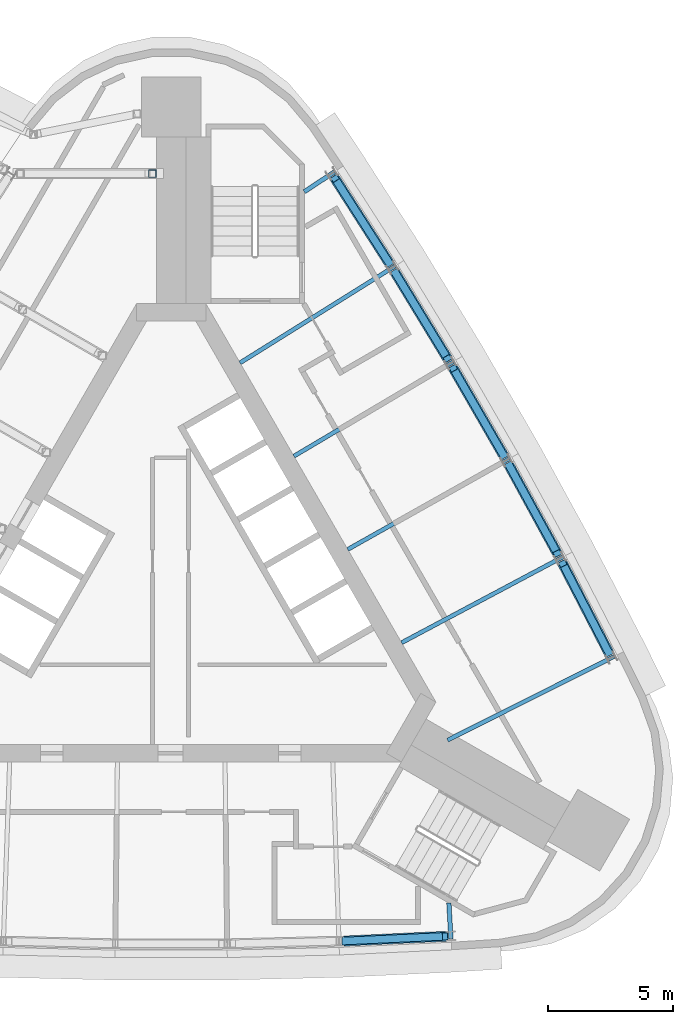
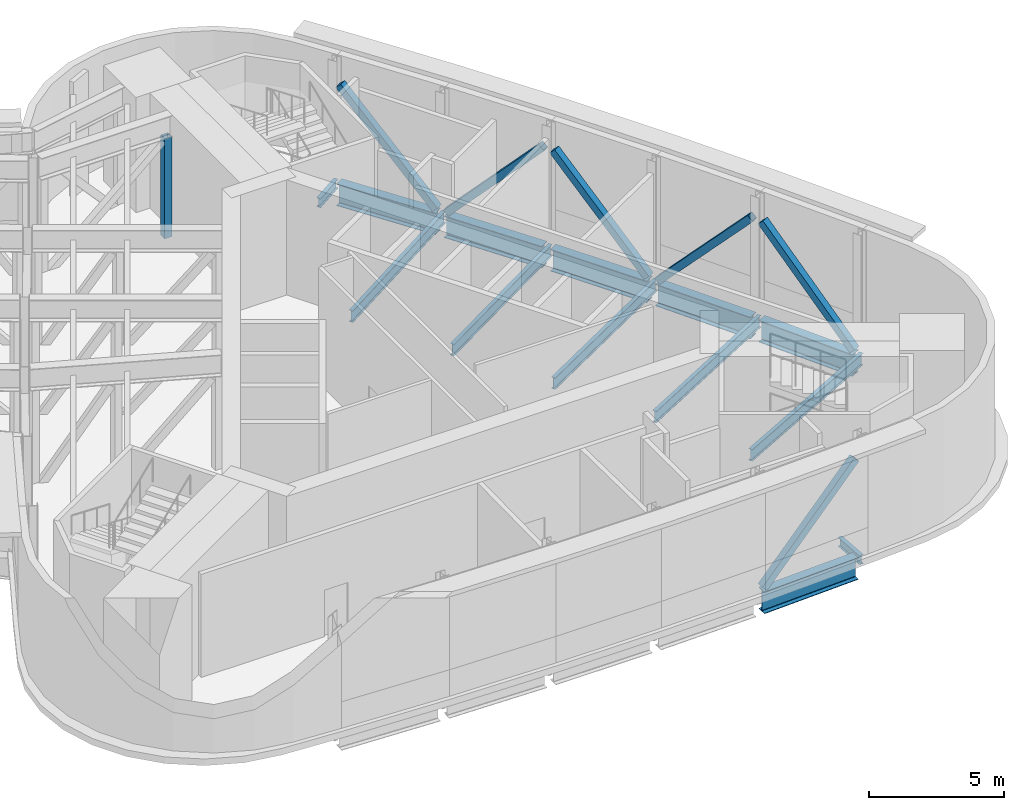
# One storey, part 4 of 11: 13 beams, 7 members.
"""IFC4 building model written with IfcOpenShell, lengths in metres."""

import ifcopenshell
import ifcopenshell.guid

model = None  # the IFC model being written
_history = None  # IfcOwnerHistory: only IFC2X3 demands one
_inside = {}  # id of a spatial element -> (the spatial element, [elements in it])
_under = {}  # id of a project, library or spatial element -> (it, [spatial elements below it])
_declared = {}  # id of a project -> (the project, [libraries it declares])
_typed = {}  # id of a type object -> (the type object, [elements of that type])
_made_of = {}  # id of a material, layer set ... -> (it, [elements and type objects made of it])


def new_model(schema):
    """Start an empty IFC model of exactly this schema.

    Asked for "IFC4X3", IfcOpenShell would pick the latest addendum, in which some entities
    have other attributes; the version numbers below select the first issue.
    IFC2X3 requires an IfcOwnerHistory on every rooted entity: one is made here for all.
    """
    global model, _history
    if schema == "IFC4X3":
        model = ifcopenshell.file(schema_version=(4, 3, 0, 0))
    else:
        model = ifcopenshell.file(schema=schema)
    _inside.clear()
    _under.clear()
    _declared.clear()
    _typed.clear()
    _made_of.clear()
    _history = None
    if model.schema == "IFC2X3":
        org = make("IfcOrganization", Name="unknown")
        user = make(
            "IfcPersonAndOrganization",
            ThePerson=make("IfcPerson", FamilyName="unknown"),
            TheOrganization=org,
        )
        app = make(
            "IfcApplication",
            ApplicationDeveloper=org,
            Version="unknown",
            ApplicationFullName="unknown",
            ApplicationIdentifier="unknown",
        )
        _history = make(
            "IfcOwnerHistory",
            OwningUser=user,
            OwningApplication=app,
            ChangeAction="ADDED",
            CreationDate=0,
        )
    return model


def make(cls, **values):
    """One entity of the class cls with the attributes given. An attribute that is None is left unset."""
    return model.create_entity(
        cls, **{name: value for name, value in values.items() if value is not None}
    )


def rooted(cls, **values):
    """An entity with a GlobalId (a new one), such as an element, a storey or a relation."""
    return make(cls, GlobalId=ifcopenshell.guid.new(), OwnerHistory=_history, **values)


def si_unit(unit_type, name, prefix=None):
    """IfcSIUnit, for example si_unit("LENGTHUNIT", "METRE", prefix="MILLI")."""
    return make("IfcSIUnit", UnitType=unit_type, Prefix=prefix, Name=name)


def assignment(units):
    """IfcUnitAssignment: the units of a project."""
    return None if units is None else make("IfcUnitAssignment", Units=units)


def point(xyz):
    """IfcCartesianPoint."""
    return None if xyz is None else make("IfcCartesianPoint", Coordinates=xyz)


def direction(xyz):
    """IfcDirection."""
    return None if xyz is None else make("IfcDirection", DirectionRatios=xyz)


def frame(location, z_axis=None, x_axis=None):
    """IfcAxis2Placement3D, a coordinate frame: its origin and axes. An axis left out is left unset."""
    return make(
        "IfcAxis2Placement3D",
        Location=point(location),
        Axis=direction(z_axis),
        RefDirection=direction(x_axis),
    )


def frame_2d(location, x_axis=None):
    """IfcAxis2Placement2D, a coordinate frame in the plane: its origin and x axis."""
    return make(
        "IfcAxis2Placement2D", Location=point(location), RefDirection=direction(x_axis)
    )


def origin():
    """The frame at (0, 0, 0) with its axes left unset."""
    return frame((0.0, 0.0, 0.0))


def origin_2d():
    """The frame at (0, 0) in the plane with its x axis left unset."""
    return frame_2d((0.0, 0.0))


def place(relative_to, where):
    """IfcLocalPlacement: puts the frame where relative to a parent placement (None: the world)."""
    return make(
        "IfcLocalPlacement", PlacementRelTo=relative_to, RelativePlacement=where
    )


def context(
    kind, dimensions, precision=None, world=None, true_north=None, identifier=None
):
    """IfcGeometricRepresentationContext, for example the 3D "Model" context."""
    return make(
        "IfcGeometricRepresentationContext",
        ContextIdentifier=identifier,
        ContextType=kind,
        CoordinateSpaceDimension=dimensions,
        Precision=precision,
        WorldCoordinateSystem=world,
        TrueNorth=true_north,
    )


def subcontext(parent, identifier, kind, view, scale=None):
    """IfcGeometricRepresentationSubContext, for example "Body" below "Model"."""
    return make(
        "IfcGeometricRepresentationSubContext",
        ContextIdentifier=identifier,
        ContextType=kind,
        ParentContext=parent,
        TargetScale=scale,
        TargetView=view,
    )


def project(units=None, contexts=None):
    """IfcProject with its units and contexts."""
    return rooted(
        "IfcProject",
        Name="project",
        RepresentationContexts=contexts,
        UnitsInContext=assignment(units),
    )


def spatial(cls, under=None, at=None, **own):
    """A site, building, storey or space (cls), placed at a placement, below another one or the project."""
    s = rooted(cls, ObjectPlacement=at, **own)
    if under is not None:
        _under.setdefault(under.id(), (under, []))[1].append(s)
    return s


def profile(cls, at=None, kind="AREA", **sizes):
    """A parametric profile (cls). Its sizes go by their IFC names, for example OverallWidth=200.0."""
    return make(cls, ProfileType=kind, Position=at, **sizes)


def hollow_rectangle(**sizes):
    """IfcRectangleHollowProfileDef."""
    return profile("IfcRectangleHollowProfileDef", **sizes)


def i_section(**sizes):
    """IfcIShapeProfileDef."""
    return profile("IfcIShapeProfileDef", **sizes)


def extrude(swept, where, along, depth):
    """IfcExtrudedAreaSolid: the profile swept, set in the frame where, extruded along a direction by depth."""
    return make(
        "IfcExtrudedAreaSolid",
        SweptArea=swept,
        Position=where,
        ExtrudedDirection=direction(along),
        Depth=depth,
    )


def shape(context_of_items, identifier, shape_type, items):
    """IfcShapeRepresentation: the items that make up one representation, for example the "Body"."""
    return make(
        "IfcShapeRepresentation",
        ContextOfItems=context_of_items,
        RepresentationIdentifier=identifier,
        RepresentationType=shape_type,
        Items=items,
    )


def material(Name=None, Category=None):
    """IfcMaterial."""
    return make("IfcMaterial", Name=Name, Category=Category)


def material_profile(
    of_material, cross_section, Name=None, Category=None, Priority=None
):
    """IfcMaterialProfile: a cross section and its material."""
    return make(
        "IfcMaterialProfile",
        Name=Name,
        Material=of_material,
        Profile=cross_section,
        Priority=Priority,
        Category=Category,
    )


def profile_set(profiles, Name=None, composite=None):
    """IfcMaterialProfileSet."""
    return make(
        "IfcMaterialProfileSet",
        Name=Name,
        MaterialProfiles=profiles,
        CompositeProfile=composite,
    )


def made_of(thing, what):
    """Note that an element or type object is made of a material, layer set ...; save() writes the relation."""
    if what is not None:
        _made_of.setdefault(what.id(), (what, []))[1].append(thing)
    return thing


def type_object(cls, material=None, **own):
    """A type object (cls), such as IfcWallType, which elements share."""
    return made_of(rooted(cls, **own), material)


def element(
    cls,
    number,
    at=None,
    inside=None,
    cuts=None,
    type_object=None,
    material=None,
    context=None,
    identifier="Body",
    shape_type=None,
    held_by="IfcProductDefinitionShape",
    body=None,
    shapes=None,
    **own,
):
    """One element of the class cls, such as IfcWall. Its Tag is "e" and its number.

    at: its placement. inside: the storey or other place that contains it. cuts: it is an
    opening in that element (IfcRelVoidsElement). A single representation is given by context,
    identifier, shape_type and body (its items); several are given by shapes. held_by: the class
    of the entity that holds the representations. save() writes the other relations.
    """
    e = rooted(cls, Tag="e%d" % number, ObjectPlacement=at, **own)
    if body is not None:
        shapes = [shape(context, identifier, shape_type, body)]
    if shapes is not None:
        e.Representation = make(held_by, Representations=shapes)
    if inside is not None:
        _inside.setdefault(inside.id(), (inside, []))[1].append(e)
    if cuts is not None:
        rooted(
            "IfcRelVoidsElement", RelatingBuildingElement=cuts, RelatedOpeningElement=e
        )
    if type_object is not None:
        _typed.setdefault(type_object.id(), (type_object, []))[1].append(e)
    return made_of(e, material)


def aggregate(whole, parts):
    """IfcRelAggregates: a whole, such as a stair, and the parts it consists of."""
    return rooted("IfcRelAggregates", RelatingObject=whole, RelatedObjects=parts)


def save(model, path):
    """Write the relations noted so far, then the file.

    IfcRelAggregates (storeys below a building ...), IfcRelContainedInSpatialStructure (elements
    in a storey), IfcRelDefinesByType, IfcRelAssociatesMaterial and IfcRelDeclares: one each for
    every whole, place, type object, material and project.
    """
    for whole, parts in _under.values():
        aggregate(whole, parts)
    for where, things in _inside.values():
        rooted(
            "IfcRelContainedInSpatialStructure",
            RelatedElements=things,
            RelatingStructure=where,
        )
    for kind, things in _typed.values():
        rooted("IfcRelDefinesByType", RelatedObjects=things, RelatingType=kind)
    for what, things in _made_of.values():
        rooted("IfcRelAssociatesMaterial", RelatedObjects=things, RelatingMaterial=what)
    for by, libraries in _declared.values():
        rooted("IfcRelDeclares", RelatingContext=by, RelatedDefinitions=libraries)
    model.write(path)


model = new_model("IFC4")

# Units and contexts
model_context = context("Model", 3, precision=1e-05, world=origin(), true_north=direction((0.0, 1.0)))
body_context = subcontext(model_context, "Body", "Model", "MODEL_VIEW")
ifc_project = project(units=[si_unit("LENGTHUNIT", "METRE"), si_unit("AREAUNIT", "SQUARE_METRE"), si_unit("VOLUMEUNIT", "CUBIC_METRE"), si_unit("PLANEANGLEUNIT", "RADIAN"), si_unit("MASSUNIT", "GRAM", prefix="KILO")], contexts=[model_context])

# Site, building, storey
site_placement = place(None, origin())
site = spatial("IfcSite", under=ifc_project, at=site_placement, CompositionType="ELEMENT")
building_placement = place(site_placement, origin())
building = spatial("IfcBuilding", under=site, at=building_placement, Name="Noor Cloister Tower", CompositionType="ELEMENT")
storey_placement = place(building_placement, frame((0.0, 0.0, 258.0)))
storey = spatial("IfcBuildingStorey", under=building, at=storey_placement, Name="L66", CompositionType="ELEMENT", Elevation=258.0)

# Beams
ifc_material_1 = material(Name="Steel ASTM A992 Gr 50", Category="steel")
ifc_material_profile_1 = material_profile(ifc_material_1, i_section(OverallWidth=0.40087890625, OverallDepth=0.98291015625, WebThickness=0.0166015625, FlangeThickness=0.027099609375, FilletRadius=0.030029296875, at=origin_2d()), Name="W1000x296")
ifc_profile_set_1 = profile_set([ifc_material_profile_1], Name="Steel ASTM A992 Gr 50")
beam_type_1 = type_object("IfcBeamType", Name="Belt chord girder W1000x296", PredefinedType="BEAM", material=ifc_profile_set_1)
beam_1_placement = place(storey_placement, frame((6.914794921875, -14.11083984375, -0.79150390625), z_axis=(0.998923795857, 0.046381570381, 0.0), x_axis=(-0.046381570381, 0.998923795857, 0.0)))
element("IfcBeam", 1, at=beam_1_placement, inside=storey, type_object=beam_type_1, Name="Spandrel beam S 05 L66", PredefinedType="BEAM", context=body_context, shape_type="SweptSolid", body=[
    extrude(i_section(OverallWidth=0.40087890625, OverallDepth=0.98291015625, WebThickness=0.0166015625, FlangeThickness=0.027099609375, FilletRadius=0.030029296875, at=origin_2d()), origin(), (0.0, 0.0, 1.0), 4.1162109375),
])
beam_2_placement = place(storey_placement, frame((17.568359375, -2.58935546875, -0.79150390625), z_axis=(-0.459295448048, 0.888283564749, 0.0), x_axis=(-0.888283564749, -0.459295448048, 0.0)))
element("IfcBeam", 2, at=beam_2_placement, inside=storey, type_object=beam_type_1, Name="Spandrel beam NE 01 L66", PredefinedType="BEAM", context=body_context, shape_type="SweptSolid", body=[
    extrude(i_section(OverallWidth=0.40087890625, OverallDepth=0.98291015625, WebThickness=0.0166015625, FlangeThickness=0.027099609375, FilletRadius=0.030029296875, at=origin_2d()), origin(), (0.0, 0.0, 1.0), 4.116455078125),
])
for number, where, z_axis, x_axis, name in (
    (3, (15.503662109375, 1.39453125, -0.79150390625), (-0.479770251557, 0.87739415642, 0.0), (-0.87739415642, -0.479770251557, 0.0), "Spandrel beam NE 02 L66"),
    (4, (13.346923828125, 5.329345703125, -0.79150390625), (-0.500004836318, 0.866022611517, 0.0), (-0.866022611517, -0.500004836318, 0.0), "Spandrel beam NE 03 L66"),
    (5, (11.099609375, 9.213134765625, -0.79150390625), (-0.51992813058, 0.85421000874, 0.0), (-0.85421000874, -0.51992813058, 0.0), "Spandrel beam NE 04 L66"),
    (6, (8.762939453125, 13.0439453125, -0.79150390625), (-0.539635932385, 0.841898485851, 0.0), (-0.841898485851, -0.539635932385, 0.0), "Spandrel beam NE 05 L66"),
):
    element("IfcBeam", number, at=place(storey_placement, frame(where, z_axis=z_axis, x_axis=x_axis)), inside=storey, type_object=beam_type_1, Name=name, PredefinedType="BEAM", context=body_context, shape_type="SweptSolid", body=[
        extrude(i_section(OverallWidth=0.40087890625, OverallDepth=0.98291015625, WebThickness=0.0166015625, FlangeThickness=0.027099609375, FilletRadius=0.030029296875, at=origin_2d()), origin(), (0.0, 0.0, 1.0), 4.1162109375),
    ])

# Members
ifc_material_2 = material(Name="Steel ASTM A500 Gr C", Category="steel")
ifc_material_profile_2 = material_profile(ifc_material_2, hollow_rectangle(XDim=0.304931640625, YDim=0.304931640625, WallThickness=0.0126953125, at=origin_2d()), Name="HSS304.8x304.8x12.7")
ifc_profile_set_2 = profile_set([ifc_material_profile_2], Name="Steel ASTM A500 Gr C")
member_type_1 = type_object("IfcMemberType", Name="Belt truss diagonal HSS304.8x304.8x12.7", PredefinedType="BRACE", material=ifc_profile_set_2)
for number, where, z_axis, x_axis, name in (
    (7, (6.957275390625, -14.10888671875, -0.19580078125), (0.682473583847, 0.031694844503, 0.730222736008), (-0.046391129357, 0.998923351973, 0.0), "Belt truss diagonal S 05 L66"),
    (8, (17.548828125, -2.551513671875, -0.19580078125), (-0.313804014351, 0.606878095793, 0.730223265463), (-0.888276437596, -0.459309231794, 0.0), "Belt truss diagonal NE 01 L66"),
    (9, (13.549072265625, 4.96875, -0.19580078125), (0.327791355853, -0.599433649613, 0.730227448635), (0.87738587884, 0.479785389119, 0.0), "Belt truss diagonal NE 02 L66"),
    (10, (13.32568359375, 5.3662109375, -0.19580078125), (-0.341613822201, 0.591658920016, 0.73023264707), (-0.866013116976, -0.500021280772, 0.0), "Belt truss diagonal NE 03 L66"),
    (11, (8.981689453125, 12.69287109375, -0.19580078125), (0.355226427, -0.583589228469, 0.730231331823), (0.854199725131, 0.519945025542, 0.0), "Belt truss diagonal NE 04 L66"),
    (12, (8.739990234375, 13.07958984375, -0.19580078125), (-0.368673865397, 0.575189158573, 0.730230794224), (-0.841903832272, -0.53962759122, 0.0), "Belt truss diagonal NE 05 L66"),
):
    element("IfcMember", number, at=place(storey_placement, frame(where, z_axis=z_axis, x_axis=x_axis)), inside=storey, type_object=member_type_1, Name=name, PredefinedType="BRACE", context=body_context, shape_type="SweptSolid", body=[
        extrude(hollow_rectangle(XDim=0.304931640625, YDim=0.304931640625, WallThickness=0.0126953125, at=origin_2d()), origin(), (0.0, 0.0, 1.0), 5.900390625),
    ])
ifc_material_3 = material(Name="Steel ASTM A500 Gr C", Category="steel")
ifc_material_profile_3 = material_profile(ifc_material_3, hollow_rectangle(XDim=0.304931640625, YDim=0.304931640625, WallThickness=0.0126953125, at=origin_2d()), Name="HSS304.8x304.8x12.7")
ifc_profile_set_3 = profile_set([ifc_material_profile_3], Name="Steel ASTM A500 Gr C")
member_type_2 = type_object("IfcMemberType", Name="Pod truss post HSS304.8x304.8x12.7", PredefinedType="POST", material=ifc_profile_set_3)
member_placement = place(storey_placement, frame((-0.75244140625, 16.66552734375, -0.300048828125), z_axis=(0.0, 0.0, 1.0), x_axis=(1.0, 0.0, 0.0)))
element("IfcMember", 13, at=member_placement, inside=storey, type_object=member_type_2, Name="Pod truss 5 post line 1 back span 2", PredefinedType="POST", context=body_context, shape_type="SweptSolid", body=[
    extrude(hollow_rectangle(XDim=0.304931640625, YDim=0.304931640625, WallThickness=0.0126953125, at=origin_2d()), origin(), (0.0, 0.0, 1.0), 4.51708984375),
])

# Beams
ifc_material_4 = material(Name="Steel ASTM A992 Gr 50", Category="steel")
ifc_material_profile_4 = material_profile(ifc_material_4, i_section(OverallWidth=0.177978515625, OverallDepth=0.406005859375, WebThickness=0.0078125, FlangeThickness=0.0126953125, FilletRadius=0.01025390625, at=origin_2d()), Name="W410x60")
ifc_profile_set_4 = profile_set([ifc_material_profile_4], Name="Steel ASTM A992 Gr 50")
beam_type_2 = type_object("IfcBeamType", Name="Radial beam W410x60", PredefinedType="BEAM", material=ifc_profile_set_4)
beam_3_placement = place(storey_placement, frame((11.21875, -14.03076171875, -0.5029296875), z_axis=(-0.058017998858, 0.998315537197, 0.0), x_axis=(-0.998315537197, -0.058017998858, 0.0)))
element("IfcBeam", 14, at=beam_3_placement, inside=storey, type_object=beam_type_2, Name="Radial beam S 06 L66", PredefinedType="BEAM", context=body_context, shape_type="SweptSolid", body=[
    extrude(i_section(OverallWidth=0.177978515625, OverallDepth=0.406005859375, WebThickness=0.0078125, FlangeThickness=0.0126953125, FilletRadius=0.01025390625, at=origin_2d()), origin(), (0.0, 0.0, 1.0), 1.443359375),
])
beam_4_placement = place(storey_placement, frame((6.54150390625, 16.73095703125, -0.5029296875), z_axis=(-0.835598976558, -0.54933992243, 0.0), x_axis=(0.54933992243, -0.835598976558, 0.0)))
element("IfcBeam", 15, at=beam_4_placement, inside=storey, type_object=beam_type_2, Name="Radial beam NE 06 L66", PredefinedType="BEAM", context=body_context, shape_type="SweptSolid", body=[
    extrude(i_section(OverallWidth=0.177978515625, OverallDepth=0.406005859375, WebThickness=0.0078125, FlangeThickness=0.0126953125, FilletRadius=0.01025390625, at=origin_2d()), origin(), (0.0, 0.0, 1.0), 1.443115234375),
])
ifc_material_5 = material(Name="Steel ASTM A992 Gr 50", Category="steel")
ifc_material_profile_5 = material_profile(ifc_material_5, i_section(OverallWidth=0.166015625, OverallDepth=0.528076171875, WebThickness=0.009765625, FlangeThickness=0.013671875, FilletRadius=0.0126953125, at=origin_2d()), Name="W530x74")
ifc_profile_set_5 = profile_set([ifc_material_profile_5], Name="Steel ASTM A992 Gr 50")
beam_type_3 = type_object("IfcBeamType", Name="Radial beam W530x74", PredefinedType="BEAM", material=ifc_profile_set_5)
beam_5_placement = place(storey_placement, frame((17.76025390625, -2.700439453125, -0.56396484375), z_axis=(-0.893549510388, -0.448964667302, 0.0), x_axis=(0.448964667302, -0.893549510388, 0.0)))
element("IfcBeam", 16, at=beam_5_placement, inside=storey, type_object=beam_type_3, Name="Radial beam NE 01 L66", PredefinedType="BEAM", context=body_context, shape_type="SweptSolid", body=[
    extrude(i_section(OverallWidth=0.166015625, OverallDepth=0.528076171875, WebThickness=0.009765625, FlangeThickness=0.013671875, FilletRadius=0.0126953125, at=origin_2d()), origin(), (0.0, 0.0, 1.0), 7.469482421875),
])
beam_6_placement = place(storey_placement, frame((15.697998046875, 1.287841796875, -0.56396484375), z_axis=(-0.882903889785, -0.469553747085, 0.0), x_axis=(0.469553747085, -0.882903889785, 0.0)))
element("IfcBeam", 17, at=beam_6_placement, inside=storey, type_object=beam_type_3, Name="Radial beam NE 02 L66", PredefinedType="BEAM", context=body_context, shape_type="SweptSolid", body=[
    extrude(i_section(OverallWidth=0.166015625, OverallDepth=0.528076171875, WebThickness=0.009765625, FlangeThickness=0.013671875, FilletRadius=0.0126953125, at=origin_2d()), origin(), (0.0, 0.0, 1.0), 7.31494140625),
])
for number, where, z_axis, x_axis, name in (
    (18, (13.5439453125, 5.227294921875, -0.56396484375), (-0.871770669318, -0.489914176277, 0.0), (0.489914176277, -0.871770669318, 0.0), "Radial beam NE 03 L66"),
    (19, (11.298828125, 9.11572265625, -0.56396484375), (-0.860162619342, -0.510019870482, 0.0), (0.510019870482, -0.860162619342, 0.0), "Radial beam NE 04 L66"),
):
    element("IfcBeam", number, at=place(storey_placement, frame(where, z_axis=z_axis, x_axis=x_axis)), inside=storey, type_object=beam_type_3, Name=name, PredefinedType="BEAM", context=body_context, shape_type="SweptSolid", body=[
        extrude(i_section(OverallWidth=0.166015625, OverallDepth=0.528076171875, WebThickness=0.009765625, FlangeThickness=0.013671875, FilletRadius=0.0126953125, at=origin_2d()), origin(), (0.0, 0.0, 1.0), 7.415283203125),
    ])
beam_7_placement = place(storey_placement, frame((8.96435546875, 12.950927734375, -0.56396484375), z_axis=(-0.848101414082, -0.529833928163, 0.0), x_axis=(0.529833928163, -0.848101414082, 0.0)))
element("IfcBeam", 20, at=beam_7_placement, inside=storey, type_object=beam_type_3, Name="Radial beam NE 05 L66", PredefinedType="BEAM", context=body_context, shape_type="SweptSolid", body=[
    extrude(i_section(OverallWidth=0.166015625, OverallDepth=0.528076171875, WebThickness=0.009765625, FlangeThickness=0.013671875, FilletRadius=0.0126953125, at=origin_2d()), origin(), (0.0, 0.0, 1.0), 7.31494140625),
])

save(model, "model.ifc")
